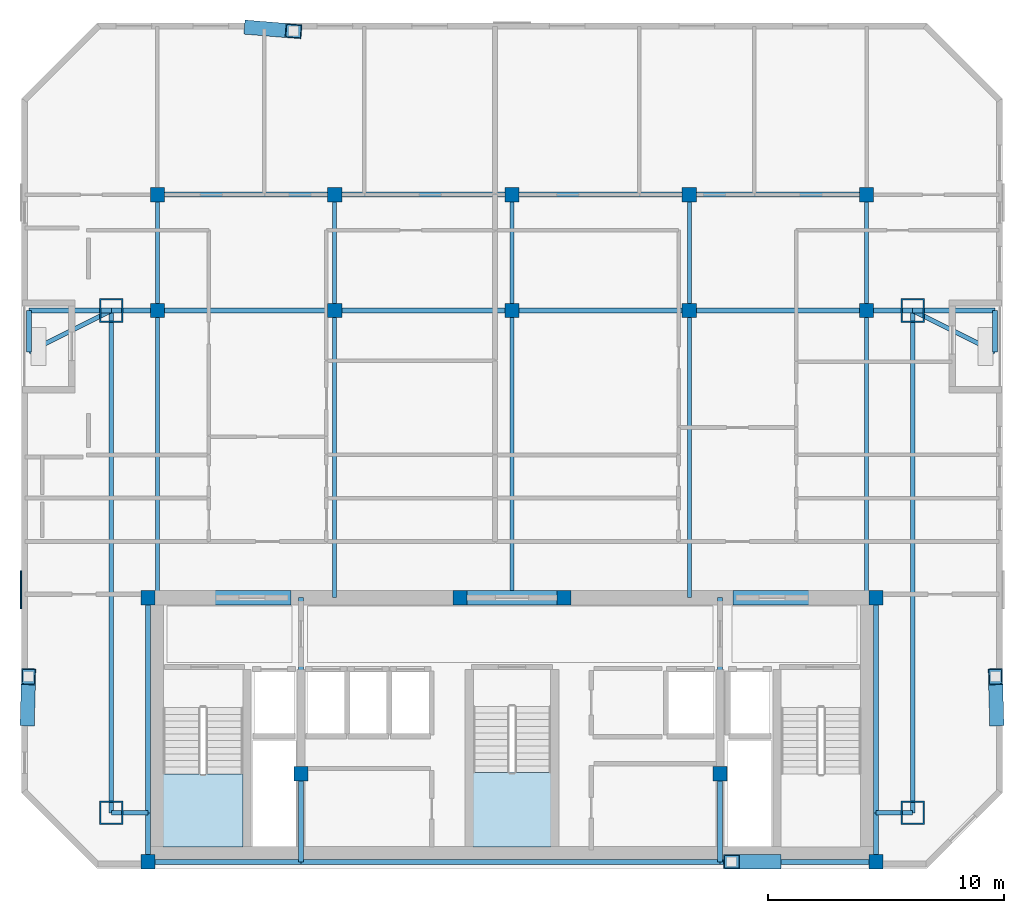
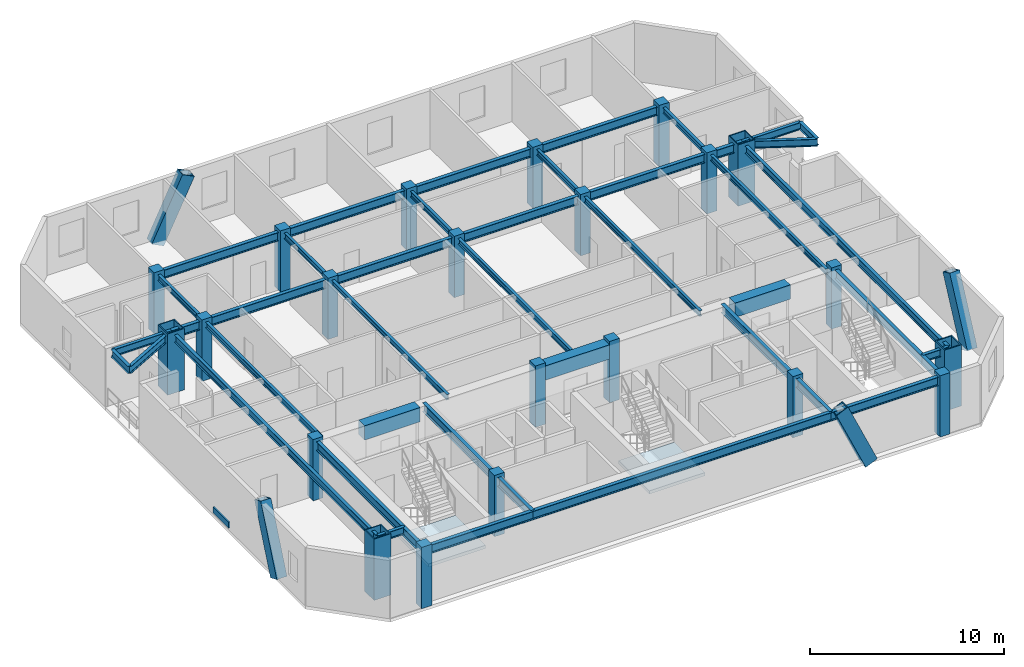
# One storey, part 1 of 7: 44 beams, 22 columns, 4 members, 2 slabs, 1 plate, 2 elements without a shape of their own.
"""IFC4 building model written with IfcOpenShell, lengths in metres."""

from ifc_helpers import new_model, si_unit, direction, frame, origin, origin_2d, place, context, subcontext, project, spatial, polyline, rectangle, hollow_rectangle, i_section, outline, extrude, material, layer, layer_set, material_profile, profile_set, type_object, element, aggregate, save


model = new_model("IFC4")

# Units and contexts
model_context = context("Model", 3, precision=1e-05, world=origin(), true_north=direction((0.0, 1.0)))
body_context = subcontext(model_context, "Body", "Model", "MODEL_VIEW")
ifc_project = project(units=[si_unit("LENGTHUNIT", "METRE"), si_unit("AREAUNIT", "SQUARE_METRE"), si_unit("VOLUMEUNIT", "CUBIC_METRE"), si_unit("PLANEANGLEUNIT", "RADIAN"), si_unit("MASSUNIT", "GRAM", prefix="KILO")], contexts=[model_context])

# Site, building, storey
site_placement = place(None, origin())
site = spatial("IfcSite", under=ifc_project, at=site_placement, CompositionType="ELEMENT")
building_placement = place(site_placement, origin())
building = spatial("IfcBuilding", under=site, at=building_placement, Name="Ventersveld Concourse Tower", CompositionType="ELEMENT")
storey_placement = place(building_placement, frame((0.0, 0.0, 260.60009765625)))
storey = spatial("IfcBuildingStorey", under=building, at=storey_placement, Name="L64", CompositionType="ELEMENT", Elevation=260.60009765625)

# Columns
ifc_material_1 = material(Name="Concrete C50/60", Category="concrete")
ifc_material_profile_1 = material_profile(ifc_material_1, rectangle(XDim=0.60009765625, YDim=0.60009765625, at=origin_2d()), Name="RC 600x600")
ifc_profile_set_1 = profile_set([ifc_material_profile_1], Name="Concrete C50/60")
column_type_1 = type_object("IfcColumnType", Name="COL-RC600", PredefinedType="COLUMN", material=ifc_profile_set_1)
for number, where, z_axis, x_axis, name in (
    (1, (13.35009765625, 0.280029296875, 0.0), (0.0, 0.0, 1.0), (1.0, 0.0, 0.0), "L64 Core Spine Column CC-SW"),
    (2, (44.14990234375, 0.280029296875, 0.0), (0.0, 0.0, 1.0), (1.0, 0.0, 0.0), "L64 Core Spine Column CC-SE"),
    (3, (13.35009765625, 11.449951171875, 0.0), (0.0, 0.0, 1.0), (1.0, 0.0, 0.0), "L64 Core Spine Column CC-NW"),
    (4, (44.14990234375, 11.449951171875, 0.0), (0.0, 0.0, 1.0), (1.0, 0.0, 0.0), "L64 Core Spine Column CC-NE"),
    (5, (19.820068359375, 4.0, 0.0), (0.0, 0.0, 1.0), (1.0, 0.0, 0.0), "L64 Core Spine Column CM-1"),
    (6, (37.550048828125, 4.0, 0.0), (0.0, 0.0, 1.0), (1.0, 0.0, 0.0), "L64 Core Spine Column CM-2"),
    (7, (26.550048828125, 11.449951171875, 0.0), (0.0, 0.0, 1.0), (1.0, 0.0, 0.0), "L64 Core Spine Column CM-3"),
    (8, (30.949951171875, 11.449951171875, 0.0), (0.0, 0.0, 1.0), (1.0, 0.0, 0.0), "L64 Core Spine Column CM-4"),
    (9, (13.75, 23.60009765625, 0.0), (0.0, 0.0, 1.0), (1.0, 0.0, 0.0), "L64 Interior Gravity Column X=13.75 Y=23.60"),
    (10, (21.25, 23.60009765625, 0.0), (0.0, 0.0, 1.0), (1.0, 0.0, 0.0), "L64 Interior Gravity Column X=21.25 Y=23.60"),
    (11, (28.75, 23.60009765625, 0.0), (0.0, 0.0, 1.0), (1.0, 0.0, 0.0), "L64 Interior Gravity Column X=28.75 Y=23.60"),
    (12, (36.25, 23.60009765625, 0.0), (0.0, 0.0, 1.0), (1.0, 0.0, 0.0), "L64 Interior Gravity Column X=36.25 Y=23.60"),
    (13, (43.75, 23.60009765625, 0.0), (0.0, 0.0, 1.0), (1.0, 0.0, 0.0), "L64 Interior Gravity Column X=43.75 Y=23.60"),
    (14, (13.75, 28.5, 0.0), (0.0, 0.0, 1.0), (1.0, 0.0, 0.0), "L64 Upper-North Gravity Column X=13.75 Y=28.50"),
    (15, (21.25, 28.5, 0.0), (0.0, 0.0, 1.0), (1.0, 0.0, 0.0), "L64 Upper-North Gravity Column X=21.25 Y=28.50"),
    (16, (28.75, 28.5, 0.0), (0.0, 0.0, 1.0), (1.0, 0.0, 0.0), "L64 Upper-North Gravity Column X=28.75 Y=28.50"),
    (17, (36.25, 28.5, 0.0), (0.0, 0.0, 1.0), (1.0, 0.0, 0.0), "L64 Upper-North Gravity Column X=36.25 Y=28.50"),
    (18, (43.75, 28.5, 0.0), (0.0, 0.0, 1.0), (1.0, 0.0, 0.0), "L64 Upper-North Gravity Column X=43.75 Y=28.50"),
):
    element("IfcColumn", number, at=place(storey_placement, frame(where, z_axis=z_axis, x_axis=x_axis)), inside=storey, type_object=column_type_1, Name=name, PredefinedType="COLUMN", context=body_context, shape_type="SweptSolid", body=[
        extrude(rectangle(XDim=0.60009765625, YDim=0.60009765625, at=origin_2d()), origin(), (0.0, 0.0, 1.0), 3.849853515625),
    ])
ifc_material_2 = material(Name="Structural steel S460ML", Category="steel")
ifc_material_profile_2 = material_profile(ifc_material_2, hollow_rectangle(XDim=1.0, YDim=1.0, WallThickness=0.06005859375, at=origin_2d()), Name="BOX 1000x1000x60")
ifc_profile_set_2 = profile_set([ifc_material_profile_2], Name="Structural steel S460ML")
column_type_2 = type_object("IfcColumnType", Name="MC-1000", PredefinedType="USERDEFINED", material=ifc_profile_set_2)
for number, where, z_axis, x_axis, name in (
    (19, (11.800048828125, 2.35009765625, 0.0), (0.0, 0.0, 1.0), (1.0, 0.0, 0.0), "L64 Corner Mega-Column MC-SW"),
    (20, (45.699951171875, 2.35009765625, 0.0), (0.0, 0.0, 1.0), (1.0, 0.0, 0.0), "L64 Corner Mega-Column MC-SE"),
    (21, (45.699951171875, 23.60009765625, 0.0), (0.0, 0.0, 1.0), (1.0, 0.0, 0.0), "L64 Corner Mega-Column MC-NE"),
    (22, (11.800048828125, 23.60009765625, 0.0), (0.0, 0.0, 1.0), (1.0, 0.0, 0.0), "L64 Corner Mega-Column MC-NW"),
):
    element("IfcColumn", number, at=place(storey_placement, frame(where, z_axis=z_axis, x_axis=x_axis)), inside=storey, type_object=column_type_2, Name=name, ObjectType="MEGA_COLUMN", PredefinedType="USERDEFINED", context=body_context, shape_type="SweptSolid", body=[
        extrude(hollow_rectangle(XDim=1.0, YDim=1.0, WallThickness=0.06005859375, at=origin_2d()), origin(), (0.0, 0.0, 1.0), 3.849853515625),
    ])

# Beams
ifc_material_3 = material(Name="Structural steel S355J2", Category="steel")
ifc_material_profile_3 = material_profile(ifc_material_3, i_section(OverallWidth=0.17138671875, OverallDepth=0.35498046875, WebThickness=0.00732421875, FlangeThickness=0.011474609375, FilletRadius=0.01025390625, at=origin_2d()), Name="UB 356x171x51")
ifc_profile_set_3 = profile_set([ifc_material_profile_3], Name="Structural steel S355J2")
beam_type_1 = type_object("IfcBeamType", Name="BM-UB356", PredefinedType="BEAM", material=ifc_profile_set_3)
beam_1_placement = place(storey_placement, frame((13.75, 11.449951171875, 3.472412109375), z_axis=(0.0, 1.0, 0.0), x_axis=(-1.0, 0.0, 0.0)))
element("IfcBeam", 23, at=beam_1_placement, inside=storey, type_object=beam_type_1, Name="L64 N-S Composite Floor Beam South X=13.75", PredefinedType="BEAM", context=body_context, shape_type="SweptSolid", body=[
    extrude(i_section(OverallWidth=0.17138671875, OverallDepth=0.35498046875, WebThickness=0.00732421875, FlangeThickness=0.011474609375, FilletRadius=0.01025390625, at=origin_2d()), origin(), (0.0, 0.0, 1.0), 12.150146484375),
])
beam_2_placement = place(storey_placement, frame((13.75, 23.60009765625, 3.472412109375), z_axis=(0.0, 1.0, 0.0), x_axis=(-1.0, 0.0, 0.0)))
element("IfcBeam", 24, at=beam_2_placement, inside=storey, type_object=beam_type_1, Name="L64 N-S Upper-Zone Floor Beam X=13.75", PredefinedType="BEAM", context=body_context, shape_type="SweptSolid", body=[
    extrude(i_section(OverallWidth=0.17138671875, OverallDepth=0.35498046875, WebThickness=0.00732421875, FlangeThickness=0.011474609375, FilletRadius=0.01025390625, at=origin_2d()), origin(), (0.0, 0.0, 1.0), 4.89990234375),
])
beam_3_placement = place(storey_placement, frame((21.25, 11.449951171875, 3.472412109375), z_axis=(0.0, 1.0, 0.0), x_axis=(-1.0, 0.0, 0.0)))
element("IfcBeam", 25, at=beam_3_placement, inside=storey, type_object=beam_type_1, Name="L64 N-S Composite Floor Beam South X=21.25", PredefinedType="BEAM", context=body_context, shape_type="SweptSolid", body=[
    extrude(i_section(OverallWidth=0.17138671875, OverallDepth=0.35498046875, WebThickness=0.00732421875, FlangeThickness=0.011474609375, FilletRadius=0.01025390625, at=origin_2d()), origin(), (0.0, 0.0, 1.0), 12.150146484375),
])
beam_4_placement = place(storey_placement, frame((21.25, 23.60009765625, 3.472412109375), z_axis=(0.0, 1.0, 0.0), x_axis=(-1.0, 0.0, 0.0)))
element("IfcBeam", 26, at=beam_4_placement, inside=storey, type_object=beam_type_1, Name="L64 N-S Upper-Zone Floor Beam X=21.25", PredefinedType="BEAM", context=body_context, shape_type="SweptSolid", body=[
    extrude(i_section(OverallWidth=0.17138671875, OverallDepth=0.35498046875, WebThickness=0.00732421875, FlangeThickness=0.011474609375, FilletRadius=0.01025390625, at=origin_2d()), origin(), (0.0, 0.0, 1.0), 4.89990234375),
])
beam_5_placement = place(storey_placement, frame((28.75, 11.449951171875, 3.472412109375), z_axis=(0.0, 1.0, 0.0), x_axis=(-1.0, 0.0, 0.0)))
element("IfcBeam", 27, at=beam_5_placement, inside=storey, type_object=beam_type_1, Name="L64 N-S Composite Floor Beam South X=28.75", PredefinedType="BEAM", context=body_context, shape_type="SweptSolid", body=[
    extrude(i_section(OverallWidth=0.17138671875, OverallDepth=0.35498046875, WebThickness=0.00732421875, FlangeThickness=0.011474609375, FilletRadius=0.01025390625, at=origin_2d()), origin(), (0.0, 0.0, 1.0), 12.150146484375),
])
beam_6_placement = place(storey_placement, frame((28.75, 23.60009765625, 3.472412109375), z_axis=(0.0, 1.0, 0.0), x_axis=(-1.0, 0.0, 0.0)))
element("IfcBeam", 28, at=beam_6_placement, inside=storey, type_object=beam_type_1, Name="L64 N-S Upper-Zone Floor Beam X=28.75", PredefinedType="BEAM", context=body_context, shape_type="SweptSolid", body=[
    extrude(i_section(OverallWidth=0.17138671875, OverallDepth=0.35498046875, WebThickness=0.00732421875, FlangeThickness=0.011474609375, FilletRadius=0.01025390625, at=origin_2d()), origin(), (0.0, 0.0, 1.0), 4.89990234375),
])
beam_7_placement = place(storey_placement, frame((36.25, 11.449951171875, 3.472412109375), z_axis=(0.0, 1.0, 0.0), x_axis=(-1.0, 0.0, 0.0)))
element("IfcBeam", 29, at=beam_7_placement, inside=storey, type_object=beam_type_1, Name="L64 N-S Composite Floor Beam South X=36.25", PredefinedType="BEAM", context=body_context, shape_type="SweptSolid", body=[
    extrude(i_section(OverallWidth=0.17138671875, OverallDepth=0.35498046875, WebThickness=0.00732421875, FlangeThickness=0.011474609375, FilletRadius=0.01025390625, at=origin_2d()), origin(), (0.0, 0.0, 1.0), 12.150146484375),
])
beam_8_placement = place(storey_placement, frame((36.25, 23.60009765625, 3.472412109375), z_axis=(0.0, 1.0, 0.0), x_axis=(-1.0, 0.0, 0.0)))
element("IfcBeam", 30, at=beam_8_placement, inside=storey, type_object=beam_type_1, Name="L64 N-S Upper-Zone Floor Beam X=36.25", PredefinedType="BEAM", context=body_context, shape_type="SweptSolid", body=[
    extrude(i_section(OverallWidth=0.17138671875, OverallDepth=0.35498046875, WebThickness=0.00732421875, FlangeThickness=0.011474609375, FilletRadius=0.01025390625, at=origin_2d()), origin(), (0.0, 0.0, 1.0), 4.89990234375),
])
beam_9_placement = place(storey_placement, frame((43.75, 11.449951171875, 3.472412109375), z_axis=(0.0, 1.0, 0.0), x_axis=(-1.0, 0.0, 0.0)))
element("IfcBeam", 31, at=beam_9_placement, inside=storey, type_object=beam_type_1, Name="L64 N-S Composite Floor Beam South X=43.75", PredefinedType="BEAM", context=body_context, shape_type="SweptSolid", body=[
    extrude(i_section(OverallWidth=0.17138671875, OverallDepth=0.35498046875, WebThickness=0.00732421875, FlangeThickness=0.011474609375, FilletRadius=0.01025390625, at=origin_2d()), origin(), (0.0, 0.0, 1.0), 12.150146484375),
])
beam_10_placement = place(storey_placement, frame((43.75, 23.60009765625, 3.472412109375), z_axis=(0.0, 1.0, 0.0), x_axis=(-1.0, 0.0, 0.0)))
element("IfcBeam", 32, at=beam_10_placement, inside=storey, type_object=beam_type_1, Name="L64 N-S Upper-Zone Floor Beam X=43.75", PredefinedType="BEAM", context=body_context, shape_type="SweptSolid", body=[
    extrude(i_section(OverallWidth=0.17138671875, OverallDepth=0.35498046875, WebThickness=0.00732421875, FlangeThickness=0.011474609375, FilletRadius=0.01025390625, at=origin_2d()), origin(), (0.0, 0.0, 1.0), 4.89990234375),
])
ifc_material_profile_4 = material_profile(ifc_material_1, rectangle(XDim=0.60009765625, YDim=0.89990234375, at=origin_2d()), Name="RC 600x900")
ifc_profile_set_4 = profile_set([ifc_material_profile_4], Name="Concrete C50/60")
beam_type_2 = type_object("IfcBeamType", Name="CB-RC600x900U", PredefinedType="LINTEL", material=ifc_profile_set_4)
beam_11_placement = place(storey_placement, frame((16.10009765625, 11.449951171875, 3.199951171875), z_axis=(1.0, 0.0, 0.0), x_axis=(0.0, 1.0, 0.0)))
element("IfcBeam", 33, at=beam_11_placement, inside=storey, type_object=beam_type_2, Name="L64 Core Coupling Lintel Beam 1", PredefinedType="LINTEL", context=body_context, shape_type="SweptSolid", body=[
    extrude(rectangle(XDim=0.60009765625, YDim=0.89990234375, at=origin_2d()), origin(), (0.0, 0.0, 1.0), 3.2998046875),
])
beam_12_placement = place(storey_placement, frame((26.5, 11.449951171875, 3.199951171875), z_axis=(1.0, 0.0, 0.0), x_axis=(0.0, 1.0, 0.0)))
element("IfcBeam", 34, at=beam_12_placement, inside=storey, type_object=beam_type_2, Name="L64 Core Coupling Lintel Beam 2", PredefinedType="LINTEL", context=body_context, shape_type="SweptSolid", body=[
    extrude(rectangle(XDim=0.60009765625, YDim=0.89990234375, at=origin_2d()), origin(), (0.0, 0.0, 1.0), 4.5),
])
beam_13_placement = place(storey_placement, frame((38.10009765625, 11.449951171875, 3.199951171875), z_axis=(1.0, 0.0, 0.0), x_axis=(0.0, 1.0, 0.0)))
element("IfcBeam", 35, at=beam_13_placement, inside=storey, type_object=beam_type_2, Name="L64 Core Coupling Lintel Beam 3", PredefinedType="LINTEL", context=body_context, shape_type="SweptSolid", body=[
    extrude(rectangle(XDim=0.60009765625, YDim=0.89990234375, at=origin_2d()), origin(), (0.0, 0.0, 1.0), 3.2998046875),
])
ifc_material_profile_5 = material_profile(ifc_material_3, i_section(OverallWidth=0.2119140625, OverallDepth=0.54443359375, WebThickness=0.0126953125, FlangeThickness=0.021240234375, FilletRadius=0.0126953125, at=origin_2d()), Name="UB 533x210x122")
ifc_profile_set_5 = profile_set([ifc_material_profile_5], Name="Structural steel S355J2")
beam_type_3 = type_object("IfcBeamType", Name="GRD-UB533H", PredefinedType="T_BEAM", material=ifc_profile_set_5)
beam_14_placement = place(storey_placement, frame((13.35009765625, 0.280029296875, 3.377685546875), z_axis=(0.0, 1.0, 0.0), x_axis=(-1.0, 0.0, 0.0)))
element("IfcBeam", 36, at=beam_14_placement, inside=storey, type_object=beam_type_3, Name="L64 Core West Tie Beam S", PredefinedType="T_BEAM", context=body_context, shape_type="SweptSolid", body=[
    extrude(i_section(OverallWidth=0.2119140625, OverallDepth=0.54443359375, WebThickness=0.0126953125, FlangeThickness=0.021240234375, FilletRadius=0.0126953125, at=origin_2d()), origin(), (0.0, 0.0, 1.0), 2.070068359375),
])
beam_15_placement = place(storey_placement, frame((13.35009765625, 2.35009765625, 3.377685546875), z_axis=(0.0, 1.0, 0.0), x_axis=(-1.0, 0.0, 0.0)))
element("IfcBeam", 37, at=beam_15_placement, inside=storey, type_object=beam_type_3, Name="L64 Core West Tie Beam N", PredefinedType="T_BEAM", context=body_context, shape_type="SweptSolid", body=[
    extrude(i_section(OverallWidth=0.2119140625, OverallDepth=0.54443359375, WebThickness=0.0126953125, FlangeThickness=0.021240234375, FilletRadius=0.0126953125, at=origin_2d()), origin(), (0.0, 0.0, 1.0), 9.099853515625),
])
beam_16_placement = place(storey_placement, frame((44.14990234375, 0.280029296875, 3.377685546875), z_axis=(0.0, 1.0, 0.0), x_axis=(-1.0, 0.0, 0.0)))
element("IfcBeam", 38, at=beam_16_placement, inside=storey, type_object=beam_type_3, Name="L64 Core East Tie Beam S", PredefinedType="T_BEAM", context=body_context, shape_type="SweptSolid", body=[
    extrude(i_section(OverallWidth=0.2119140625, OverallDepth=0.54443359375, WebThickness=0.0126953125, FlangeThickness=0.021240234375, FilletRadius=0.0126953125, at=origin_2d()), origin(), (0.0, 0.0, 1.0), 2.070068359375),
])
beam_17_placement = place(storey_placement, frame((44.14990234375, 2.35009765625, 3.377685546875), z_axis=(0.0, 1.0, 0.0), x_axis=(-1.0, 0.0, 0.0)))
element("IfcBeam", 39, at=beam_17_placement, inside=storey, type_object=beam_type_3, Name="L64 Core East Tie Beam N", PredefinedType="T_BEAM", context=body_context, shape_type="SweptSolid", body=[
    extrude(i_section(OverallWidth=0.2119140625, OverallDepth=0.54443359375, WebThickness=0.0126953125, FlangeThickness=0.021240234375, FilletRadius=0.0126953125, at=origin_2d()), origin(), (0.0, 0.0, 1.0), 9.099853515625),
])
beam_18_placement = place(storey_placement, frame((13.35009765625, 0.280029296875, 3.377685546875), z_axis=(1.0, 0.0, 0.0), x_axis=(0.0, 1.0, 0.0)))
element("IfcBeam", 40, at=beam_18_placement, inside=storey, type_object=beam_type_3, Name="L64 Core South Tie Beam W", PredefinedType="T_BEAM", context=body_context, shape_type="SweptSolid", body=[
    extrude(i_section(OverallWidth=0.2119140625, OverallDepth=0.54443359375, WebThickness=0.0126953125, FlangeThickness=0.021240234375, FilletRadius=0.0126953125, at=origin_2d()), origin(), (0.0, 0.0, 1.0), 6.469970703125),
])
beam_19_placement = place(storey_placement, frame((19.820068359375, 0.280029296875, 3.377685546875), z_axis=(1.0, 0.0, 0.0), x_axis=(0.0, 1.0, 0.0)))
element("IfcBeam", 41, at=beam_19_placement, inside=storey, type_object=beam_type_3, Name="L64 Core South Tie Beam C", PredefinedType="T_BEAM", context=body_context, shape_type="SweptSolid", body=[
    extrude(i_section(OverallWidth=0.2119140625, OverallDepth=0.54443359375, WebThickness=0.0126953125, FlangeThickness=0.021240234375, FilletRadius=0.0126953125, at=origin_2d()), origin(), (0.0, 0.0, 1.0), 17.72998046875),
])
beam_20_placement = place(storey_placement, frame((37.550048828125, 0.280029296875, 3.377685546875), z_axis=(1.0, 0.0, 0.0), x_axis=(0.0, 1.0, 0.0)))
element("IfcBeam", 42, at=beam_20_placement, inside=storey, type_object=beam_type_3, Name="L64 Core South Tie Beam E", PredefinedType="T_BEAM", context=body_context, shape_type="SweptSolid", body=[
    extrude(i_section(OverallWidth=0.2119140625, OverallDepth=0.54443359375, WebThickness=0.0126953125, FlangeThickness=0.021240234375, FilletRadius=0.0126953125, at=origin_2d()), origin(), (0.0, 0.0, 1.0), 6.599853515625),
])
beam_21_placement = place(storey_placement, frame((19.820068359375, 0.280029296875, 3.377685546875), z_axis=(0.0, 1.0, 0.0), x_axis=(-1.0, 0.0, 0.0)))
element("IfcBeam", 43, at=beam_21_placement, inside=storey, type_object=beam_type_3, Name="L64 Core Spine N-S Tie Beam W1", PredefinedType="T_BEAM", context=body_context, shape_type="SweptSolid", body=[
    extrude(i_section(OverallWidth=0.2119140625, OverallDepth=0.54443359375, WebThickness=0.0126953125, FlangeThickness=0.021240234375, FilletRadius=0.0126953125, at=origin_2d()), origin(), (0.0, 0.0, 1.0), 3.719970703125),
])
beam_22_placement = place(storey_placement, frame((19.820068359375, 4.0, 3.377685546875), z_axis=(0.0, 1.0, 0.0), x_axis=(-1.0, 0.0, 0.0)))
element("IfcBeam", 44, at=beam_22_placement, inside=storey, type_object=beam_type_3, Name="L64 Core Spine N-S Tie Beam W2", PredefinedType="T_BEAM", context=body_context, shape_type="SweptSolid", body=[
    extrude(i_section(OverallWidth=0.2119140625, OverallDepth=0.54443359375, WebThickness=0.0126953125, FlangeThickness=0.021240234375, FilletRadius=0.0126953125, at=origin_2d()), origin(), (0.0, 0.0, 1.0), 7.449951171875),
])
beam_23_placement = place(storey_placement, frame((37.550048828125, 0.280029296875, 3.377685546875), z_axis=(0.0, 1.0, 0.0), x_axis=(-1.0, 0.0, 0.0)))
element("IfcBeam", 45, at=beam_23_placement, inside=storey, type_object=beam_type_3, Name="L64 Core Spine N-S Tie Beam E1", PredefinedType="T_BEAM", context=body_context, shape_type="SweptSolid", body=[
    extrude(i_section(OverallWidth=0.2119140625, OverallDepth=0.54443359375, WebThickness=0.0126953125, FlangeThickness=0.021240234375, FilletRadius=0.0126953125, at=origin_2d()), origin(), (0.0, 0.0, 1.0), 3.719970703125),
])
beam_24_placement = place(storey_placement, frame((37.550048828125, 4.0, 3.377685546875), z_axis=(0.0, 1.0, 0.0), x_axis=(-1.0, 0.0, 0.0)))
element("IfcBeam", 46, at=beam_24_placement, inside=storey, type_object=beam_type_3, Name="L64 Core Spine N-S Tie Beam E2", PredefinedType="T_BEAM", context=body_context, shape_type="SweptSolid", body=[
    extrude(i_section(OverallWidth=0.2119140625, OverallDepth=0.54443359375, WebThickness=0.0126953125, FlangeThickness=0.021240234375, FilletRadius=0.0126953125, at=origin_2d()), origin(), (0.0, 0.0, 1.0), 7.449951171875),
])
beam_25_placement = place(storey_placement, frame((11.800048828125, 23.60009765625, 3.377685546875), z_axis=(1.0, 0.0, 0.0), x_axis=(0.0, 1.0, 0.0)))
element("IfcBeam", 47, at=beam_25_placement, inside=storey, type_object=beam_type_3, Name="L64 Primary E-W Grid Girder Y=23.60 #1", PredefinedType="T_BEAM", context=body_context, shape_type="SweptSolid", body=[
    extrude(i_section(OverallWidth=0.2119140625, OverallDepth=0.54443359375, WebThickness=0.0126953125, FlangeThickness=0.021240234375, FilletRadius=0.0126953125, at=origin_2d()), origin(), (0.0, 0.0, 1.0), 1.949951171875),
])
for number, where, z_axis, x_axis, name in (
    (48, (13.75, 23.60009765625, 3.377685546875), (1.0, 0.0, 0.0), (0.0, 1.0, 0.0), "L64 Primary E-W Grid Girder Y=23.60 #2"),
    (49, (21.25, 23.60009765625, 3.377685546875), (1.0, 0.0, 0.0), (0.0, 1.0, 0.0), "L64 Primary E-W Grid Girder Y=23.60 #3"),
    (50, (28.75, 23.60009765625, 3.377685546875), (1.0, 0.0, 0.0), (0.0, 1.0, 0.0), "L64 Primary E-W Grid Girder Y=23.60 #4"),
    (51, (36.25, 23.60009765625, 3.377685546875), (1.0, 0.0, 0.0), (0.0, 1.0, 0.0), "L64 Primary E-W Grid Girder Y=23.60 #5"),
):
    element("IfcBeam", number, at=place(storey_placement, frame(where, z_axis=z_axis, x_axis=x_axis)), inside=storey, type_object=beam_type_3, Name=name, PredefinedType="T_BEAM", context=body_context, shape_type="SweptSolid", body=[
        extrude(i_section(OverallWidth=0.2119140625, OverallDepth=0.54443359375, WebThickness=0.0126953125, FlangeThickness=0.021240234375, FilletRadius=0.0126953125, at=origin_2d()), origin(), (0.0, 0.0, 1.0), 7.5),
    ])
beam_26_placement = place(storey_placement, frame((43.75, 23.60009765625, 3.377685546875), z_axis=(1.0, 0.0, 0.0), x_axis=(0.0, 1.0, 0.0)))
element("IfcBeam", 52, at=beam_26_placement, inside=storey, type_object=beam_type_3, Name="L64 Primary E-W Grid Girder Y=23.60 #6", PredefinedType="T_BEAM", context=body_context, shape_type="SweptSolid", body=[
    extrude(i_section(OverallWidth=0.2119140625, OverallDepth=0.54443359375, WebThickness=0.0126953125, FlangeThickness=0.021240234375, FilletRadius=0.0126953125, at=origin_2d()), origin(), (0.0, 0.0, 1.0), 1.949951171875),
])
for number, where, z_axis, x_axis, name in (
    (53, (13.75, 28.5, 3.377685546875), (1.0, 0.0, 0.0), (0.0, 1.0, 0.0), "L64 Upper-North E-W Girder Y=28.50 #1"),
    (54, (21.25, 28.5, 3.377685546875), (1.0, 0.0, 0.0), (0.0, 1.0, 0.0), "L64 Upper-North E-W Girder Y=28.50 #2"),
    (55, (28.75, 28.5, 3.377685546875), (1.0, 0.0, 0.0), (0.0, 1.0, 0.0), "L64 Upper-North E-W Girder Y=28.50 #3"),
    (56, (36.25, 28.5, 3.377685546875), (1.0, 0.0, 0.0), (0.0, 1.0, 0.0), "L64 Upper-North E-W Girder Y=28.50 #4"),
):
    element("IfcBeam", number, at=place(storey_placement, frame(where, z_axis=z_axis, x_axis=x_axis)), inside=storey, type_object=beam_type_3, Name=name, PredefinedType="T_BEAM", context=body_context, shape_type="SweptSolid", body=[
        extrude(i_section(OverallWidth=0.2119140625, OverallDepth=0.54443359375, WebThickness=0.0126953125, FlangeThickness=0.021240234375, FilletRadius=0.0126953125, at=origin_2d()), origin(), (0.0, 0.0, 1.0), 7.5),
    ])

# Members
ifc_material_4 = material(Name="Structural steel S355ML", Category="steel")
ifc_material_profile_6 = material_profile(ifc_material_4, hollow_rectangle(XDim=0.60009765625, YDim=0.75, WallThickness=0.0400390625, at=origin_2d()), Name="BOX 750x600x40")
ifc_profile_set_6 = profile_set([ifc_material_profile_6], Name="Structural steel S355ML")
member_type = type_object("IfcMemberType", Name="MB-750x600", PredefinedType="BRACE", material=ifc_profile_set_6)
member_1_placement = place(storey_placement, frame((17.77099609375, 35.561279296875, -0.2001953125), z_axis=(0.411497937729, -0.033843900563, 0.910782102173), x_axis=(0.081968848657, 0.996634891949, 0.0)))
element("IfcMember", 57, at=member_1_placement, inside=storey, type_object=member_type, Name="L64 Exterior Mega-Brace N (Module M15)", PredefinedType="BRACE", context=body_context, shape_type="SweptSolid", body=[
    extrude(hollow_rectangle(XDim=0.60009765625, YDim=0.75, WallThickness=0.0400390625, at=origin_2d()), origin(), (0.0, 0.0, 1.0), 4.227294921875),
])
member_2_placement = place(storey_placement, frame((39.77880859375, 0.280029296875, -0.2001953125), z_axis=(-0.411685814665, 0.0, 0.911325841839), x_axis=(0.0, -1.0, 0.0)))
element("IfcMember", 58, at=member_2_placement, inside=storey, type_object=member_type, Name="L64 Exterior Mega-Brace S (Module M15)", PredefinedType="BRACE", context=body_context, shape_type="SweptSolid", body=[
    extrude(hollow_rectangle(XDim=0.60009765625, YDim=0.75, WallThickness=0.0400390625, at=origin_2d()), origin(), (0.0, 0.0, 1.0), 4.224609375),
])
for number, where, z_axis, x_axis, name in (
    (59, (8.25, 6.37109375, -0.2001953125), (0.011672219408, 0.411705758811, 0.911242079502), (-0.999598355988, 0.028339490233, 0.0), "L64 Exterior Mega-Brace W (Module M15)"),
    (60, (49.25, 6.37109375, -0.2001953125), (-0.011672219408, 0.411705758811, 0.911242079502), (-0.999598355988, -0.028339490233, 0.0), "L64 Exterior Mega-Brace E (Module M15)"),
):
    element("IfcMember", number, at=place(storey_placement, frame(where, z_axis=z_axis, x_axis=x_axis)), inside=storey, type_object=member_type, Name=name, PredefinedType="BRACE", context=body_context, shape_type="SweptSolid", body=[
        extrude(hollow_rectangle(XDim=0.60009765625, YDim=0.75, WallThickness=0.0400390625, at=origin_2d()), origin(), (0.0, 0.0, 1.0), 4.22509765625),
    ])

# Beams
ifc_material_profile_7 = material_profile(ifc_material_3, i_section(OverallWidth=0.19140625, OverallDepth=0.4599609375, WebThickness=0.010009765625, FlangeThickness=0.01611328125, FilletRadius=0.01025390625, at=origin_2d()), Name="UB 457x191x82")
ifc_profile_set_7 = profile_set([ifc_material_profile_7], Name="Structural steel S355J2")
beam_type_4 = type_object("IfcBeamType", Name="SPD-UB457", PredefinedType="SPANDREL", material=ifc_profile_set_7)
for number, where, z_axis, x_axis, name in (
    (61, (11.800048828125, 2.35009765625, 3.419921875), (1.0, 0.0, 0.0), (0.0, 1.0, 0.0), "L64 SW Spandrel Beam"),
    (62, (44.14990234375, 2.35009765625, 3.419921875), (1.0, 0.0, 0.0), (0.0, 1.0, 0.0), "L64 SE Spandrel Beam"),
):
    element("IfcBeam", number, at=place(storey_placement, frame(where, z_axis=z_axis, x_axis=x_axis)), inside=storey, type_object=beam_type_4, Name=name, PredefinedType="SPANDREL", context=body_context, shape_type="SweptSolid", body=[
        extrude(i_section(OverallWidth=0.19140625, OverallDepth=0.4599609375, WebThickness=0.010009765625, FlangeThickness=0.01611328125, FilletRadius=0.01025390625, at=origin_2d()), origin(), (0.0, 0.0, 1.0), 1.550048828125),
    ])
for number, where, z_axis, x_axis, name in (
    (63, (11.800048828125, 2.35009765625, 3.419921875), (0.0, 1.0, 0.0), (-1.0, 0.0, 0.0), "L64 West Spandrel Beam"),
    (64, (45.699951171875, 2.35009765625, 3.419921875), (0.0, 1.0, 0.0), (-1.0, 0.0, 0.0), "L64 East Spandrel Beam"),
):
    element("IfcBeam", number, at=place(storey_placement, frame(where, z_axis=z_axis, x_axis=x_axis)), inside=storey, type_object=beam_type_4, Name=name, PredefinedType="SPANDREL", context=body_context, shape_type="SweptSolid", body=[
        extrude(i_section(OverallWidth=0.19140625, OverallDepth=0.4599609375, WebThickness=0.010009765625, FlangeThickness=0.01611328125, FilletRadius=0.01025390625, at=origin_2d()), origin(), (0.0, 0.0, 1.0), 21.25),
    ])
beam_27_placement = place(storey_placement, frame((8.31884765625, 23.60009765625, 3.419921875), z_axis=(1.0, 0.0, 0.0), x_axis=(0.0, 1.0, 0.0)))
element("IfcBeam", 65, at=beam_27_placement, inside=storey, type_object=beam_type_4, Name="L64 West Valley Bracket S", PredefinedType="SPANDREL", context=body_context, shape_type="SweptSolid", body=[
    extrude(i_section(OverallWidth=0.19140625, OverallDepth=0.4599609375, WebThickness=0.010009765625, FlangeThickness=0.01611328125, FilletRadius=0.01025390625, at=origin_2d()), origin(), (0.0, 0.0, 1.0), 3.481201171875),
])
beam_28_placement = place(storey_placement, frame((8.31884765625, 21.85009765625, 3.419921875), z_axis=(0.8934601544, 0.449142463478, 0.0), x_axis=(-0.449142463478, 0.8934601544, 0.0)))
element("IfcBeam", 66, at=beam_28_placement, inside=storey, type_object=beam_type_4, Name="L64 West Valley Diagonal Bracket", PredefinedType="SPANDREL", context=body_context, shape_type="SweptSolid", body=[
    extrude(i_section(OverallWidth=0.19140625, OverallDepth=0.4599609375, WebThickness=0.010009765625, FlangeThickness=0.01611328125, FilletRadius=0.01025390625, at=origin_2d()), origin(), (0.0, 0.0, 1.0), 3.896240234375),
])
beam_29_placement = place(storey_placement, frame((8.31884765625, 21.85009765625, 3.419921875), z_axis=(0.0, 1.0, 0.0), x_axis=(-1.0, 0.0, 0.0)))
element("IfcBeam", 67, at=beam_29_placement, inside=storey, type_object=beam_type_4, Name="L64 West Valley Edge Beam", PredefinedType="SPANDREL", context=body_context, shape_type="SweptSolid", body=[
    extrude(i_section(OverallWidth=0.19140625, OverallDepth=0.4599609375, WebThickness=0.010009765625, FlangeThickness=0.01611328125, FilletRadius=0.01025390625, at=origin_2d()), origin(), (0.0, 0.0, 1.0), 1.75),
])
beam_30_placement = place(storey_placement, frame((45.699951171875, 23.60009765625, 3.419921875), z_axis=(1.0, 0.0, 0.0), x_axis=(0.0, 1.0, 0.0)))
element("IfcBeam", 68, at=beam_30_placement, inside=storey, type_object=beam_type_4, Name="L64 East Valley Bracket S", PredefinedType="SPANDREL", context=body_context, shape_type="SweptSolid", body=[
    extrude(i_section(OverallWidth=0.19140625, OverallDepth=0.4599609375, WebThickness=0.010009765625, FlangeThickness=0.01611328125, FilletRadius=0.01025390625, at=origin_2d()), origin(), (0.0, 0.0, 1.0), 3.481201171875),
])
beam_31_placement = place(storey_placement, frame((45.699951171875, 23.60009765625, 3.419921875), z_axis=(0.8934601544, -0.449142463478, 0.0), x_axis=(0.449142463478, 0.8934601544, 0.0)))
element("IfcBeam", 69, at=beam_31_placement, inside=storey, type_object=beam_type_4, Name="L64 East Valley Diagonal Bracket", PredefinedType="SPANDREL", context=body_context, shape_type="SweptSolid", body=[
    extrude(i_section(OverallWidth=0.19140625, OverallDepth=0.4599609375, WebThickness=0.010009765625, FlangeThickness=0.01611328125, FilletRadius=0.01025390625, at=origin_2d()), origin(), (0.0, 0.0, 1.0), 3.896240234375),
])
beam_32_placement = place(storey_placement, frame((49.18115234375, 21.85009765625, 3.419921875), z_axis=(0.0, 1.0, 0.0), x_axis=(-1.0, 0.0, 0.0)))
element("IfcBeam", 70, at=beam_32_placement, inside=storey, type_object=beam_type_4, Name="L64 East Valley Edge Beam", PredefinedType="SPANDREL", context=body_context, shape_type="SweptSolid", body=[
    extrude(i_section(OverallWidth=0.19140625, OverallDepth=0.4599609375, WebThickness=0.010009765625, FlangeThickness=0.01611328125, FilletRadius=0.01025390625, at=origin_2d()), origin(), (0.0, 0.0, 1.0), 1.75),
])

# Plate
ifc_material_5 = material(Name="Precast concrete C45/55", Category="concrete")
ifc_layer_1 = layer(ifc_material_5, 0.080078125)
ifc_layer_set_1 = layer_set([ifc_layer_1], Name="Precast concrete C45/55")
plate_type = type_object("IfcPlateType", Name="PL-SPAND-80", PredefinedType="SHEET", material=ifc_layer_set_1)
plate_placement = place(storey_placement, frame((7.977783203125, 11.790283203125, 0.169921875), z_axis=(0.0, 0.0, 1.0), x_axis=(0.0, -1.0, 0.0)))
element("IfcPlate", 71, at=plate_placement, inside=storey, type_object=plate_type, Name="L64 Litema Bas-Relief Precast Spandrel Cassette 1", PredefinedType="SHEET", context=body_context, shape_type="SweptSolid", body=[
    extrude(rectangle(XDim=1.60009765625, YDim=0.080078125, at=origin_2d()), origin(), (0.0, 0.0, 1.0), 0.3798828125),
])

# Stair, slab
stair_type_1 = type_object("IfcStairType", Name="ST-DOG-160", PredefinedType="HALF_TURN_STAIR", material=ifc_material_1)
stair_1_placement = place(storey_placement, origin())
stair_1 = element("IfcStair", 72, at=stair_1_placement, inside=storey, type_object=stair_type_1, Name="L64 Protected Tower Escape Stair ST-01", PredefinedType="HALF_TURN_STAIR")
ifc_layer_2 = layer(ifc_material_1, 0.199951171875)
ifc_layer_set_2 = layer_set([ifc_layer_2], Name="Concrete C50/60")
slab_type = type_object("IfcSlabType", Name="SL-LND-200", PredefinedType="LANDING", material=ifc_layer_set_2)
slab_1_placement = place(storey_placement, frame((0.0, 0.0, 1.724853515625)))
slab_1 = element("IfcSlab", 73, at=slab_1_placement, type_object=slab_type, Name="ST-01 landing 1", PredefinedType="LANDING", context=body_context, shape_type="SweptSolid", body=[
    extrude(outline(polyline([(13.97998046875, 4.0), (13.97998046875, 0.89990234375), (17.3798828125, 0.89990234375), (17.3798828125, 4.0), (13.97998046875, 4.0)])), origin(), (0.0, 0.0, 1.0), 0.199951171875),
])
aggregate(stair_1, [slab_1])

stair_type_2 = type_object("IfcStairType", Name="ST-DOG-155", PredefinedType="HALF_TURN_STAIR", material=ifc_material_1)
stair_2_placement = place(storey_placement, origin())
stair_2 = element("IfcStair", 74, at=stair_2_placement, inside=storey, type_object=stair_type_2, Name="L64 Protected Central Core Escape Stair ST-03", PredefinedType="HALF_TURN_STAIR")
slab_2_placement = place(storey_placement, frame((0.0, 0.0, 1.724853515625)))
slab_2 = element("IfcSlab", 75, at=slab_2_placement, type_object=slab_type, Name="ST-03 landing 1", PredefinedType="LANDING", context=body_context, shape_type="SweptSolid", body=[
    extrude(outline(polyline([(27.10009765625, 4.050048828125), (27.10009765625, 0.89990234375), (30.39990234375, 0.89990234375), (30.39990234375, 4.050048828125), (27.10009765625, 4.050048828125)])), origin(), (0.0, 0.0, 1.0), 0.199951171875),
])
aggregate(stair_2, [slab_2])

save(model, "model.ifc")
